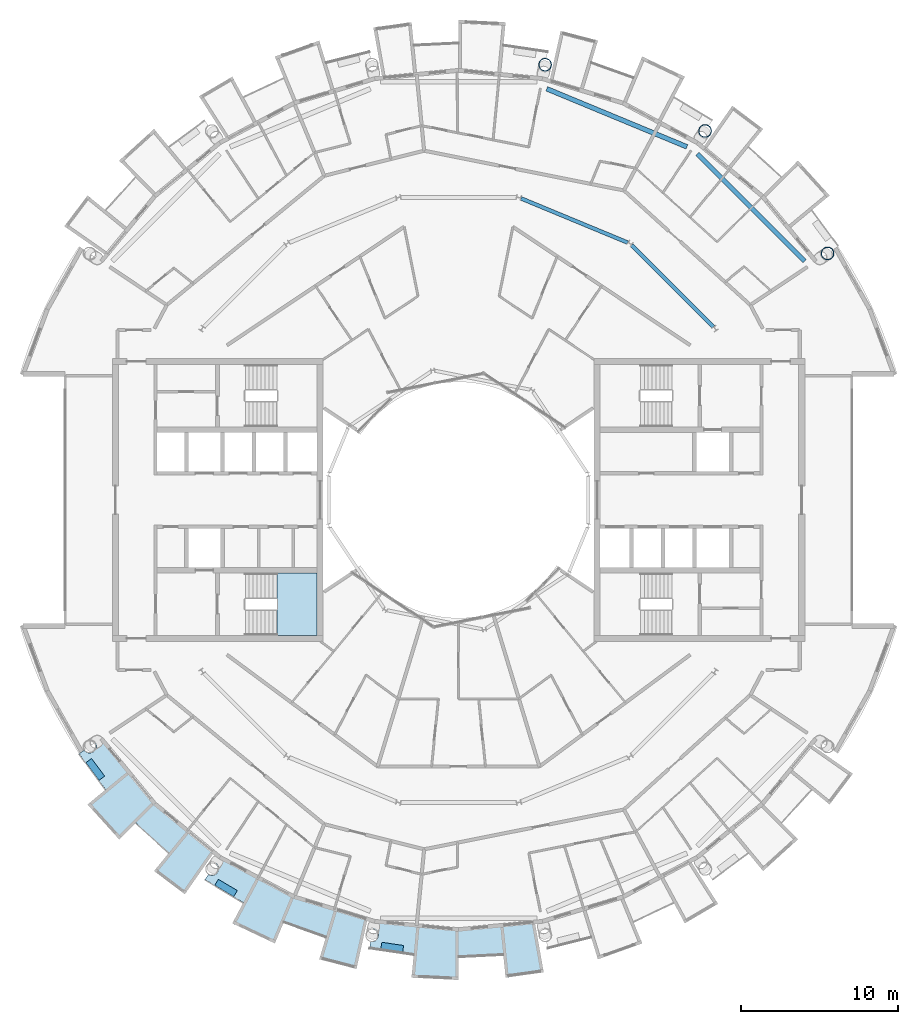
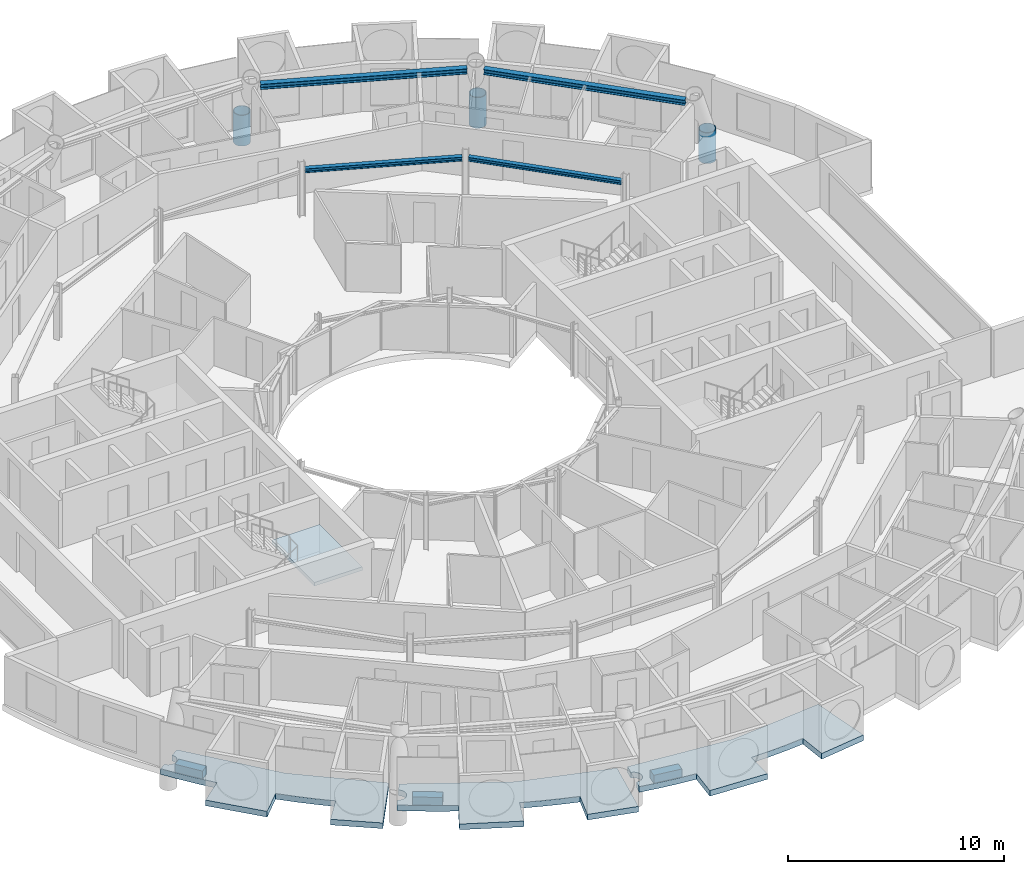
# One storey, part 11 of 28: 7 slabs, 4 beams, 3 members, 1 element without a shape of its own.
"""IFC4 building model written with IfcOpenShell, lengths in metres."""

from ifc_helpers import new_model, si_unit, direction, frame, origin, origin_2d, place, context, subcontext, project, spatial, polyline, hollow_circle, i_section, outline, extrude, material, layer, layer_set, material_profile, profile_set, type_object, element, aggregate, save


model = new_model("IFC4")

# Units and contexts
model_context = context("Model", 3, precision=1e-05, world=origin(), true_north=direction((0.0, 1.0)))
body_context = subcontext(model_context, "Body", "Model", "MODEL_VIEW")
ifc_project = project(units=[si_unit("LENGTHUNIT", "METRE"), si_unit("AREAUNIT", "SQUARE_METRE"), si_unit("VOLUMEUNIT", "CUBIC_METRE"), si_unit("PLANEANGLEUNIT", "RADIAN"), si_unit("MASSUNIT", "GRAM", prefix="KILO")], contexts=[model_context])

# Site, building, storey
site_placement = place(None, origin())
site = spatial("IfcSite", under=ifc_project, at=site_placement, CompositionType="ELEMENT")
building_placement = place(site_placement, origin())
building = spatial("IfcBuilding", under=site, at=building_placement, Name="Maasbend Ring Residences", CompositionType="ELEMENT")
storey_placement = place(building_placement, frame((0.0, 0.0, 231.0)))
storey = spatial("IfcBuildingStorey", under=building, at=storey_placement, Name="L66", CompositionType="ELEMENT", Elevation=231.0)

# Members
ifc_material_1 = material(Name="Steel S460NH", Category="steel")
ifc_material_profile_1 = material_profile(ifc_material_1, hollow_circle(Radius=0.406494140625, WallThickness=0.030029296875, at=origin_2d()), Name="Column node insert CHS 813x30")
ifc_profile_set_1 = profile_set([ifc_material_profile_1], Name="Steel S460NH")
member_type = type_object("IfcMemberType", Name="Column node insert CHS 813x30", PredefinedType="POST", material=ifc_profile_set_1)
for number, where, z_axis, x_axis, name in (
    (1, (23.447509765625, 15.6669921875, -1.5), (0.0, 0.0, 1.0), (1.0, 0.0, 0.0), "Column node insert R2"),
    (2, (15.6669921875, 23.447509765625, -1.5), (0.0, 0.0, 1.0), (1.0, 0.0, 0.0), "Column node insert R3"),
    (3, (5.50146484375, 27.658203125, -1.5), (0.0, 0.0, 1.0), (1.0, 0.0, 0.0), "Column node insert R4"),
):
    element("IfcMember", number, at=place(storey_placement, frame(where, z_axis=z_axis, x_axis=x_axis)), inside=storey, type_object=member_type, Name=name, PredefinedType="POST", context=body_context, shape_type="SweptSolid", body=[
        extrude(hollow_circle(Radius=0.406494140625, WallThickness=0.030029296875, at=origin_2d()), origin(), (0.0, 0.0, 1.0), 1.74169921875),
    ])

# Beams
ifc_material_2 = material(Name="Steel S355J2", Category="steel")
ifc_material_profile_2 = material_profile(ifc_material_2, i_section(OverallWidth=0.239990234375, OverallDepth=0.22998046875, WebThickness=0.007568359375, FlangeThickness=0.011962890625, FilletRadius=0.02099609375, at=origin_2d()), Name="HEA 240")
ifc_profile_set_2 = profile_set([ifc_material_profile_2], Name="Steel S355J2")
beam_type_1 = type_object("IfcBeamType", Name="Corridor ring beam HEA 240", PredefinedType="BEAM", material=ifc_profile_set_2)
beam_1_placement = place(storey_placement, frame((16.188720703125, 10.997314453125, 2.5849609375), z_axis=(-0.707106781187, 0.707106781187, 0.0), x_axis=(-0.707106781187, -0.707106781187, 0.0)))
element("IfcBeam", 4, at=beam_1_placement, inside=storey, type_object=beam_type_1, Name="Corridor ring beam", PredefinedType="BEAM", context=body_context, shape_type="SweptSolid", body=[
    extrude(i_section(OverallWidth=0.239990234375, OverallDepth=0.22998046875, WebThickness=0.007568359375, FlangeThickness=0.011962890625, FilletRadius=0.02099609375, at=origin_2d()), origin(), (0.0, 0.0, 1.0), 7.341796875),
])
beam_2_placement = place(storey_placement, frame((10.747802734375, 16.355224609375, 2.5849609375), z_axis=(-0.923875784142, 0.382692481603, 0.0), x_axis=(-0.382692481603, -0.923875784142, 0.0)))
element("IfcBeam", 5, at=beam_2_placement, inside=storey, type_object=beam_type_1, Name="Corridor ring beam", PredefinedType="BEAM", context=body_context, shape_type="SweptSolid", body=[
    extrude(i_section(OverallWidth=0.239990234375, OverallDepth=0.22998046875, WebThickness=0.007568359375, FlangeThickness=0.011962890625, FilletRadius=0.02099609375, at=origin_2d()), origin(), (0.0, 0.0, 1.0), 7.341552734375),
])
ifc_material_3 = material(Name="Steel S355J2", Category="steel")
ifc_material_profile_3 = material_profile(ifc_material_3, i_section(OverallWidth=0.300048828125, OverallDepth=0.300048828125, WebThickness=0.010986328125, FlangeThickness=0.01904296875, FilletRadius=0.027099609375, at=origin_2d()), Name="HEB 300")
ifc_profile_set_3 = profile_set([ifc_material_profile_3], Name="Steel S355J2")
beam_type_2 = type_object("IfcBeamType", Name="Spandrel ring beam HEB 300", PredefinedType="SPANDREL", material=ifc_profile_set_3)
beam_3_placement = place(storey_placement, frame((21.99609375, 15.1767578125, 2.550048828125), z_axis=(-0.707106781187, 0.707106781187, 0.0), x_axis=(-0.707106781187, -0.707106781187, 0.0)))
element("IfcBeam", 6, at=beam_3_placement, inside=storey, type_object=beam_type_2, Name="Spandrel ring beam", PredefinedType="SPANDREL", context=body_context, shape_type="SweptSolid", body=[
    extrude(i_section(OverallWidth=0.300048828125, OverallDepth=0.300048828125, WebThickness=0.010986328125, FlangeThickness=0.01904296875, FilletRadius=0.027099609375, at=origin_2d()), origin(), (0.0, 0.0, 1.0), 9.64404296875),
])
beam_4_placement = place(storey_placement, frame((14.513671875, 22.43896484375, 2.550048828125), z_axis=(-0.92388230488, 0.382676739206, 0.0), x_axis=(-0.382676739206, -0.92388230488, 0.0)))
element("IfcBeam", 7, at=beam_4_placement, inside=storey, type_object=beam_type_2, Name="Spandrel ring beam", PredefinedType="SPANDREL", context=body_context, shape_type="SweptSolid", body=[
    extrude(i_section(OverallWidth=0.300048828125, OverallDepth=0.300048828125, WebThickness=0.010986328125, FlangeThickness=0.01904296875, FilletRadius=0.027099609375, at=origin_2d()), origin(), (0.0, 0.0, 1.0), 9.643798828125),
])

# Stair, slab
ifc_material_4 = material(Name="Concrete C40/50", Category="concrete")
stair_type = type_object("IfcStairType", Name="CORE STAIR 18 RISERS", PredefinedType="HALF_TURN_STAIR", material=ifc_material_4)
stair_placement = place(storey_placement, origin())
stair = element("IfcStair", 8, at=stair_placement, inside=storey, type_object=stair_type, Name="L66 Exit stair ST-W1", PredefinedType="HALF_TURN_STAIR")
ifc_material_5 = material(Name="Concrete C40/50", Category="concrete")
ifc_layer_1 = layer(ifc_material_5, 0.199951171875)
ifc_layer_set_1 = layer_set([ifc_layer_1], Name="Concrete C40/50")
slab_type_1 = type_object("IfcSlabType", Name="CORE STAIR LANDING 200", PredefinedType="LANDING", material=ifc_layer_set_1)
slab_1_placement = place(storey_placement, frame((0.0, 0.0, 1.324951171875)))
slab_1 = element("IfcSlab", 9, at=slab_1_placement, type_object=slab_type_1, Name="ST-W1 landing 1", PredefinedType="LANDING", context=body_context, shape_type="SweptSolid", body=[
    extrude(outline(polyline([(-11.550048828125, -8.60009765625), (-9.0, -8.60009765625), (-9.0, -4.64990234375), (-11.550048828125, -4.64990234375), (-11.550048828125, -8.60009765625)])), origin(), (0.0, 0.0, 1.0), 0.199951171875),
])
aggregate(stair, [slab_1])

# Slabs
ifc_material_6 = material(Name="Planting with climbing greenery")
ifc_layer_2 = layer(ifc_material_6, 0.449951171875)
ifc_layer_set_2 = layer_set([ifc_layer_2], Name="PLANTER-LG")
slab_type_2 = type_object("IfcSlabType", Name="PLANTER-LG", PredefinedType="USERDEFINED", material=ifc_layer_set_2)
slab_2_placement = place(storey_placement, frame((0.0, 0.0, -0.030029296875)))
element("IfcSlab", 10, at=slab_2_placement, inside=storey, type_object=slab_type_2, Name="Planter with climbing greenery 1", ObjectType="PLANTER", PredefinedType="USERDEFINED", context=body_context, shape_type="SweptSolid", body=[
    extrude(outline(polyline([(-23.681884765625, -16.69189453125), (-22.847900390625, -17.81689453125), (-22.487060546875, -17.549072265625), (-23.321044921875, -16.424072265625), (-23.681884765625, -16.69189453125)])), origin(), (0.0, 0.0, 1.0), 0.449951171875),
])
slab_3_placement = place(storey_placement, frame((0.0, 0.0, -0.030029296875)))
element("IfcSlab", 11, at=slab_3_placement, inside=storey, type_object=slab_type_2, Name="Planter with climbing greenery 2", ObjectType="PLANTER", PredefinedType="USERDEFINED", context=body_context, shape_type="SweptSolid", body=[
    extrude(outline(polyline([(-15.490966796875, -24.48388671875), (-14.291015625, -25.2041015625), (-14.05908203125, -24.818115234375), (-15.260009765625, -24.097900390625), (-15.490966796875, -24.48388671875)])), origin(), (0.0, 0.0, 1.0), 0.449951171875),
])
slab_4_placement = place(storey_placement, frame((0.0, 0.0, -0.030029296875)))
element("IfcSlab", 12, at=slab_4_placement, inside=storey, type_object=slab_type_2, Name="Planter with climbing greenery 3", ObjectType="PLANTER", PredefinedType="USERDEFINED", context=body_context, shape_type="SweptSolid", body=[
    extrude(outline(polyline([(-4.94189453125, -28.549072265625), (-3.55810546875, -28.75390625), (-3.491943359375, -28.30908203125), (-4.8759765625, -28.10400390625), (-4.94189453125, -28.549072265625)])), origin(), (0.0, 0.0, 1.0), 0.449951171875),
])
ifc_material_7 = material(Name="Concrete C40/50", Category="concrete")
ifc_layer_3 = layer(ifc_material_7, 0.199951171875)
ifc_layer_set_3 = layer_set([ifc_layer_3], Name="Concrete C40/50")
slab_type_3 = type_object("IfcSlabType", Name="SL-LOGGIA", PredefinedType="FLOOR", material=ifc_layer_set_3)
slab_5_placement = place(storey_placement, frame((0.0, 0.0, -0.35009765625)))
element("IfcSlab", 13, at=slab_5_placement, inside=storey, type_object=slab_type_3, Name="Loggia floor 1", PredefinedType="FLOOR", context=body_context, shape_type="SweptSolid", body=[
    extrude(outline(polyline([(-15.866943359375, -23.801025390625), (-15.85888671875, -23.805908203125), (-15.85009765625, -23.81005859375), (-15.841064453125, -23.81494140625), (-15.83203125, -23.819091796875), (-15.822998046875, -23.822998046875), (-15.81298828125, -23.826904296875), (-15.803955078125, -23.830078125), (-15.794921875, -23.8330078125), (-15.784912109375, -23.8359375), (-15.77587890625, -23.839111328125), (-15.76611328125, -23.842041015625), (-15.756103515625, -23.843994140625), (-15.74609375, -23.845947265625), (-15.737060546875, -23.847900390625), (-15.72705078125, -23.85009765625), (-15.717041015625, -23.85107421875), (-15.70703125, -23.85205078125), (-15.697021484375, -23.85302734375), (-15.68701171875, -23.85302734375), (-15.677001953125, -23.85400390625), (-15.6669921875, -23.85400390625), (-15.656982421875, -23.85400390625), (-15.64697265625, -23.85302734375), (-15.636962890625, -23.85302734375), (-15.626953125, -23.85205078125), (-15.616943359375, -23.85107421875), (-15.60693359375, -23.85009765625), (-15.597900390625, -23.847900390625), (-15.587890625, -23.845947265625), (-15.577880859375, -23.843994140625), (-15.568115234375, -23.842041015625), (-15.55908203125, -23.839111328125), (-15.549072265625, -23.8359375), (-15.5400390625, -23.8330078125), (-15.530029296875, -23.830078125), (-15.52099609375, -23.826904296875), (-15.511962890625, -23.822998046875), (-15.501953125, -23.819091796875), (-15.492919921875, -23.81494140625), (-15.48388671875, -23.81005859375), (-15.47509765625, -23.805908203125), (-15.467041015625, -23.801025390625), (-15.4580078125, -23.7958984375), (-15.449951171875, -23.791015625), (-15.44091796875, -23.784912109375), (-15.43310546875, -23.780029296875), (-15.425048828125, -23.77392578125), (-15.4169921875, -23.76806640625), (-15.408935546875, -23.761962890625), (-15.402099609375, -23.7548828125), (-15.39404296875, -23.7490234375), (-15.386962890625, -23.741943359375), (-15.3798828125, -23.735107421875), (-15.373046875, -23.72802734375), (-15.365966796875, -23.719970703125), (-15.35888671875, -23.712890625), (-15.35302734375, -23.705078125), (-15.346923828125, -23.697021484375), (-15.341064453125, -23.68994140625), (-15.3349609375, -23.680908203125), (-15.3291015625, -23.673095703125), (-15.323974609375, -23.6650390625), (-15.318115234375, -23.656005859375), (-15.31298828125, -23.64794921875), (-15.30908203125, -23.638916015625), (-15.303955078125, -23.6298828125), (-15.300048828125, -23.62109375), (-15.294921875, -23.612060546875), (-15.2919921875, -23.60302734375), (-15.2880859375, -23.593994140625), (-15.283935546875, -23.583984375), (-15.281005859375, -23.574951171875), (-15.278076171875, -23.56494140625), (-15.27490234375, -23.555908203125), (-15.27294921875, -23.5458984375), (-15.27001953125, -23.535888671875), (-15.26806640625, -23.527099609375), (-15.26708984375, -23.51708984375), (-15.264892578125, -23.507080078125), (-15.263916015625, -23.4970703125), (-15.262939453125, -23.487060546875), (-15.261962890625, -23.47705078125), (-15.260986328125, -23.467041015625), (-15.260986328125, -23.45703125), (-15.260986328125, -23.447021484375), (-15.260986328125, -23.43701171875), (-15.260986328125, -23.427001953125), (-15.261962890625, -23.4169921875), (-15.262939453125, -23.407958984375), (-15.263916015625, -23.39794921875), (-15.264892578125, -23.387939453125), (-15.26708984375, -23.3779296875), (-15.26806640625, -23.367919921875), (-15.27001953125, -23.35791015625), (-15.27294921875, -23.34912109375), (-15.27490234375, -23.339111328125), (-15.278076171875, -23.3291015625), (-15.281005859375, -23.320068359375), (-15.283935546875, -23.31005859375), (-15.2880859375, -23.301025390625), (-15.2919921875, -23.2919921875), (-15.294921875, -23.282958984375), (-15.300048828125, -23.27392578125), (-15.303955078125, -23.264892578125), (-15.30908203125, -23.256103515625), (-15.31298828125, -23.2470703125), (-15.318115234375, -23.238037109375), (-15.323974609375, -23.22998046875), (-15.3291015625, -23.221923828125), (-15.3349609375, -23.212890625), (-15.341064453125, -23.205078125), (-15.346923828125, -23.197021484375), (-15.35302734375, -23.18994140625), (-15.35888671875, -23.181884765625), (-15.365966796875, -23.174072265625), (-15.373046875, -23.1669921875), (-15.3798828125, -23.159912109375), (-15.386962890625, -23.153076171875), (-15.39404296875, -23.14599609375), (-15.402099609375, -23.139892578125), (-15.408935546875, -23.133056640625), (-15.4169921875, -23.126953125), (-15.425048828125, -23.12109375), (-15.43310546875, -23.114990234375), (-15.44091796875, -23.10888671875), (-15.1669921875, -22.698974609375), (-15.1669921875, -22.698974609375), (-15.1669921875, -22.698974609375), (-12.806884765625, -23.9609375), (-10.447021484375, -25.221923828125), (-10.447021484375, -25.221923828125), (-10.447021484375, -25.221923828125), (-7.886962890625, -25.9990234375), (-5.797119140625, -26.633056640625), (-5.797119140625, -26.633056640625), (-5.797119140625, -26.633056640625), (-6.487060546875, -29.802001953125), (-6.487060546875, -29.802001953125), (-6.487060546875, -29.802001953125), (-8.85400390625, -29.18701171875), (-8.85400390625, -29.18701171875), (-8.85400390625, -29.18701171875), (-8.41796875, -27.751953125), (-8.41796875, -27.751953125), (-8.41796875, -27.751953125), (-8.41796875, -27.751953125), (-8.41796875, -27.751953125), (-8.41796875, -27.751953125), (-8.41796875, -27.7509765625), (-8.41796875, -27.7509765625), (-8.41796875, -27.7509765625), (-8.41796875, -27.7509765625), (-8.41796875, -27.7509765625), (-8.4189453125, -27.7509765625), (-8.4189453125, -27.7509765625), (-8.4189453125, -27.7509765625), (-8.4189453125, -27.7509765625), (-8.4189453125, -27.7509765625), (-8.4189453125, -27.7509765625), (-9.322021484375, -27.4609375), (-9.322021484375, -27.4609375), (-10.215087890625, -27.14111328125), (-10.215087890625, -27.14111328125), (-11.096923828125, -26.79296875), (-11.096923828125, -26.79296875), (-11.096923828125, -26.79296875), (-11.097900390625, -26.79296875), (-11.097900390625, -26.79296875), (-11.097900390625, -26.79296875), (-11.097900390625, -26.79296875), (-11.097900390625, -26.79296875), (-11.097900390625, -26.79296875), (-11.097900390625, -26.79296875), (-11.097900390625, -26.79296875), (-11.097900390625, -26.79296875), (-11.097900390625, -26.79296875), (-11.097900390625, -26.79296875), (-11.097900390625, -26.79296875), (-11.097900390625, -26.79296875), (-11.097900390625, -26.79296875), (-11.672119140625, -28.177978515625), (-11.672119140625, -28.177978515625), (-11.672119140625, -28.177978515625), (-14.3779296875, -26.89892578125), (-14.3779296875, -26.89892578125), (-14.3779296875, -26.89892578125), (-13.6708984375, -25.575927734375), (-13.6708984375, -25.575927734375), (-13.6708984375, -25.575927734375), (-13.6708984375, -25.575927734375), (-13.6708984375, -25.575927734375), (-13.6708984375, -25.575927734375), (-13.6708984375, -25.575927734375), (-13.6708984375, -25.575927734375), (-13.6708984375, -25.575927734375), (-13.6708984375, -25.575927734375), (-13.6708984375, -25.575927734375), (-13.6708984375, -25.575927734375), (-13.6708984375, -25.575927734375), (-13.6708984375, -25.575927734375), (-13.6708984375, -25.575927734375), (-13.6708984375, -25.575927734375), (-13.6708984375, -25.574951171875), (-14.5, -25.114990234375), (-14.5, -25.114990234375), (-15.31396484375, -24.626953125), (-15.31396484375, -24.626953125), (-16.112060546875, -24.113037109375), (-16.112060546875, -24.113037109375), (-16.112060546875, -24.113037109375), (-15.89306640625, -23.784912109375), (-15.885009765625, -23.791015625), (-15.8759765625, -23.7958984375), (-15.866943359375, -23.801025390625)])), origin(), (0.0, 0.0, 1.0), 0.320068359375),
])
slab_6_placement = place(storey_placement, frame((0.0, 0.0, -0.35009765625)))
element("IfcSlab", 14, at=slab_6_placement, inside=storey, type_object=slab_type_3, Name="Loggia floor 3", PredefinedType="FLOOR", context=body_context, shape_type="SweptSolid", body=[
    extrude(outline(polyline([(-2.6630859375, -27.0380859375), (0.0, -27.300048828125), (0.0, -27.300048828125), (0.0, -27.300048828125), (2.6630859375, -27.0380859375), (4.8359375, -26.823974609375), (4.8359375, -26.823974609375), (4.8359375, -26.823974609375), (5.412109375, -30.01611328125), (5.412109375, -30.01611328125), (5.412109375, -30.01611328125), (2.989990234375, -30.35302734375), (2.989990234375, -30.35302734375), (2.989990234375, -30.35302734375), (2.843017578125, -28.861083984375), (2.843017578125, -28.861083984375), (2.843017578125, -28.861083984375), (2.843017578125, -28.861083984375), (2.842041015625, -28.861083984375), (2.842041015625, -28.861083984375), (2.842041015625, -28.861083984375), (2.842041015625, -28.861083984375), (2.842041015625, -28.861083984375), (2.842041015625, -28.860107421875), (2.842041015625, -28.860107421875), (2.842041015625, -28.860107421875), (2.842041015625, -28.860107421875), (2.842041015625, -28.860107421875), (2.842041015625, -28.860107421875), (2.842041015625, -28.860107421875), (2.842041015625, -28.860107421875), (1.89697265625, -28.93798828125), (1.89697265625, -28.93798828125), (0.948974609375, -28.98388671875), (0.948974609375, -28.98388671875), (0.0, -29.0), (0.0, -29.0), (0.0, -29.0), (0.0, -29.0), (0.0, -29.0), (0.0, -29.0), (0.0, -29.0), (0.0, -29.0), (0.0, -29.0), (0.0, -29.0), (0.0, -29.0), (0.0, -29.0), (0.0, -29.0), (0.0, -29.0), (0.0, -29.0), (0.0, -29.0), (0.0, -29.0), (0.0, -30.5), (0.0, -30.5), (0.0, -30.5), (-2.989990234375, -30.35302734375), (-2.989990234375, -30.35302734375), (-2.989990234375, -30.35302734375), (-2.843017578125, -28.861083984375), (-2.843017578125, -28.861083984375), (-2.843017578125, -28.861083984375), (-2.843017578125, -28.861083984375), (-2.843017578125, -28.861083984375), (-2.843017578125, -28.861083984375), (-2.843017578125, -28.861083984375), (-2.843017578125, -28.861083984375), (-2.843017578125, -28.860107421875), (-2.843017578125, -28.860107421875), (-2.843017578125, -28.860107421875), (-2.843017578125, -28.860107421875), (-2.843017578125, -28.860107421875), (-2.843017578125, -28.860107421875), (-2.843017578125, -28.860107421875), (-2.843017578125, -28.860107421875), (-2.843017578125, -28.860107421875), (-3.784912109375, -28.751953125), (-3.784912109375, -28.751953125), (-4.72412109375, -28.613037109375), (-4.72412109375, -28.613037109375), (-5.657958984375, -28.443115234375), (-5.657958984375, -28.443115234375), (-5.657958984375, -28.443115234375), (-5.5810546875, -28.056884765625), (-5.5810546875, -28.056884765625), (-5.571044921875, -28.05908203125), (-5.56103515625, -28.06005859375), (-5.551025390625, -28.06201171875), (-5.541015625, -28.06298828125), (-5.531005859375, -28.06298828125), (-5.52099609375, -28.06396484375), (-5.510986328125, -28.06396484375), (-5.501953125, -28.06494140625), (-5.491943359375, -28.06396484375), (-5.48193359375, -28.06396484375), (-5.471923828125, -28.06298828125), (-5.4619140625, -28.06298828125), (-5.451904296875, -28.06201171875), (-5.44189453125, -28.06005859375), (-5.431884765625, -28.05908203125), (-5.422119140625, -28.056884765625), (-5.412109375, -28.054931640625), (-5.403076171875, -28.052001953125), (-5.39306640625, -28.050048828125), (-5.383056640625, -28.047119140625), (-5.3740234375, -28.0439453125), (-5.364990234375, -28.041015625), (-5.35498046875, -28.037109375), (-5.345947265625, -28.033935546875), (-5.3369140625, -28.030029296875), (-5.327880859375, -28.02587890625), (-5.319091796875, -28.02099609375), (-5.31005859375, -28.01708984375), (-5.301025390625, -28.011962890625), (-5.29296875, -28.007080078125), (-5.283935546875, -28.001953125), (-5.27587890625, -27.99609375), (-5.26708984375, -27.989990234375), (-5.259033203125, -27.985107421875), (-5.2509765625, -27.97900390625), (-5.243896484375, -27.971923828125), (-5.236083984375, -27.966064453125), (-5.22900390625, -27.958984375), (-5.220947265625, -27.952880859375), (-5.214111328125, -27.946044921875), (-5.20703125, -27.93798828125), (-5.199951171875, -27.930908203125), (-5.194091796875, -27.924072265625), (-5.18701171875, -27.916015625), (-5.180908203125, -27.907958984375), (-5.175048828125, -27.89990234375), (-5.1689453125, -27.89208984375), (-5.1640625, -27.884033203125), (-5.157958984375, -27.8759765625), (-5.153076171875, -27.866943359375), (-5.14794921875, -27.85791015625), (-5.14306640625, -27.85009765625), (-5.137939453125, -27.841064453125), (-5.134033203125, -27.83203125), (-5.1298828125, -27.822998046875), (-5.1259765625, -27.81396484375), (-5.1220703125, -27.803955078125), (-5.118896484375, -27.794921875), (-5.115966796875, -27.785888671875), (-5.113037109375, -27.77587890625), (-5.110107421875, -27.76708984375), (-5.10693359375, -27.757080078125), (-5.10498046875, -27.7470703125), (-5.10302734375, -27.737060546875), (-5.10107421875, -27.72802734375), (-5.09912109375, -27.718017578125), (-5.097900390625, -27.7080078125), (-5.096923828125, -27.697998046875), (-5.095947265625, -27.68798828125), (-5.094970703125, -27.677978515625), (-5.094970703125, -27.66796875), (-5.094970703125, -27.657958984375), (-5.094970703125, -27.64794921875), (-5.094970703125, -27.637939453125), (-5.095947265625, -27.6279296875), (-5.096923828125, -27.617919921875), (-5.097900390625, -27.60791015625), (-5.09912109375, -27.597900390625), (-5.10107421875, -27.589111328125), (-5.10302734375, -27.5791015625), (-5.10498046875, -27.569091796875), (-5.10693359375, -27.55908203125), (-5.110107421875, -27.550048828125), (-5.113037109375, -27.5400390625), (-5.115966796875, -27.531005859375), (-5.118896484375, -27.52099609375), (-5.1220703125, -27.511962890625), (-5.1259765625, -27.5029296875), (-5.1298828125, -27.492919921875), (-5.134033203125, -27.48388671875), (-5.137939453125, -27.47509765625), (-5.14306640625, -27.466064453125), (-5.14794921875, -27.4580078125), (-5.153076171875, -27.448974609375), (-5.157958984375, -27.44091796875), (-5.1640625, -27.431884765625), (-5.1689453125, -27.424072265625), (-5.175048828125, -27.416015625), (-5.180908203125, -27.407958984375), (-5.18701171875, -27.39990234375), (-5.194091796875, -27.39306640625), (-5.199951171875, -27.385009765625), (-5.20703125, -27.3779296875), (-5.214111328125, -27.37109375), (-5.220947265625, -27.364013671875), (-5.22900390625, -27.35693359375), (-5.236083984375, -27.35009765625), (-5.243896484375, -27.343994140625), (-5.2509765625, -27.337890625), (-5.259033203125, -27.33203125), (-5.26708984375, -27.325927734375), (-5.27587890625, -27.320068359375), (-5.283935546875, -27.31494140625), (-5.29296875, -27.30908203125), (-5.301025390625, -27.303955078125), (-5.31005859375, -27.300048828125), (-5.319091796875, -27.294921875), (-5.327880859375, -27.291015625), (-5.3369140625, -27.285888671875), (-5.345947265625, -27.282958984375), (-5.35498046875, -27.279052734375), (-5.364990234375, -27.27490234375), (-5.3740234375, -27.27197265625), (-5.383056640625, -27.26904296875), (-5.39306640625, -27.26611328125), (-5.403076171875, -27.263916015625), (-5.412109375, -27.260986328125), (-5.422119140625, -27.259033203125), (-5.422119140625, -27.259033203125), (-5.325927734375, -26.77490234375), (-5.325927734375, -26.77490234375), (-5.325927734375, -26.77490234375), (-2.6630859375, -27.0380859375)])), origin(), (0.0, 0.0, 1.0), 0.320068359375),
])
slab_7_placement = place(storey_placement, frame((0.0, 0.0, -0.35009765625)))
element("IfcSlab", 15, at=slab_7_placement, inside=storey, type_object=slab_type_3, Name="Loggia floor 4", PredefinedType="FLOOR", context=body_context, shape_type="SweptSolid", body=[
    extrude(outline(polyline([(-23.77392578125, -15.908935546875), (-23.76806640625, -15.9169921875), (-23.761962890625, -15.925048828125), (-23.7548828125, -15.93310546875), (-23.7490234375, -15.93994140625), (-23.741943359375, -15.947021484375), (-23.735107421875, -15.955078125), (-23.72802734375, -15.9619140625), (-23.719970703125, -15.968017578125), (-23.712890625, -15.97509765625), (-23.705078125, -15.98095703125), (-23.697021484375, -15.988037109375), (-23.68994140625, -15.993896484375), (-23.680908203125, -15.9990234375), (-23.673095703125, -16.0048828125), (-23.6650390625, -16.010986328125), (-23.656005859375, -16.01611328125), (-23.64794921875, -16.02099609375), (-23.638916015625, -16.02587890625), (-23.6298828125, -16.030029296875), (-23.62109375, -16.034912109375), (-23.612060546875, -16.0390625), (-23.60302734375, -16.04296875), (-23.593994140625, -16.0458984375), (-23.583984375, -16.050048828125), (-23.574951171875, -16.052978515625), (-23.56494140625, -16.055908203125), (-23.555908203125, -16.05908203125), (-23.5458984375, -16.06103515625), (-23.535888671875, -16.06396484375), (-23.527099609375, -16.06591796875), (-23.51708984375, -16.068115234375), (-23.507080078125, -16.069091796875), (-23.4970703125, -16.071044921875), (-23.487060546875, -16.072021484375), (-23.47705078125, -16.072021484375), (-23.467041015625, -16.072998046875), (-23.45703125, -16.072998046875), (-23.447021484375, -16.073974609375), (-23.43701171875, -16.072998046875), (-23.427001953125, -16.072998046875), (-23.4169921875, -16.072021484375), (-23.407958984375, -16.072021484375), (-23.39794921875, -16.071044921875), (-23.387939453125, -16.069091796875), (-23.3779296875, -16.068115234375), (-23.367919921875, -16.06591796875), (-23.35791015625, -16.06396484375), (-23.34912109375, -16.06103515625), (-23.339111328125, -16.05908203125), (-23.3291015625, -16.055908203125), (-23.320068359375, -16.052978515625), (-23.31005859375, -16.050048828125), (-23.301025390625, -16.0458984375), (-23.2919921875, -16.04296875), (-23.282958984375, -16.0390625), (-23.27392578125, -16.034912109375), (-23.264892578125, -16.030029296875), (-23.256103515625, -16.02587890625), (-23.2470703125, -16.02099609375), (-23.238037109375, -16.01611328125), (-23.22998046875, -16.010986328125), (-23.221923828125, -16.0048828125), (-23.212890625, -15.9990234375), (-23.205078125, -15.993896484375), (-23.197021484375, -15.988037109375), (-23.18994140625, -15.98095703125), (-23.181884765625, -15.97509765625), (-23.174072265625, -15.968017578125), (-23.1669921875, -15.9619140625), (-23.159912109375, -15.955078125), (-23.153076171875, -15.947021484375), (-23.14599609375, -15.93994140625), (-23.139892578125, -15.93310546875), (-23.133056640625, -15.925048828125), (-23.126953125, -15.9169921875), (-23.12109375, -15.908935546875), (-23.114990234375, -15.90087890625), (-23.10888671875, -15.89306640625), (-23.10400390625, -15.885009765625), (-23.09912109375, -15.8759765625), (-23.093994140625, -15.866943359375), (-23.089111328125, -15.85888671875), (-23.083984375, -15.85009765625), (-23.080078125, -15.841064453125), (-23.075927734375, -15.83203125), (-23.072021484375, -15.822998046875), (-23.068115234375, -15.81298828125), (-23.06494140625, -15.803955078125), (-23.06103515625, -15.794921875), (-23.05810546875, -15.784912109375), (-23.055908203125, -15.77587890625), (-23.052978515625, -15.76611328125), (-23.051025390625, -15.756103515625), (-23.049072265625, -15.74609375), (-23.047119140625, -15.737060546875), (-23.044921875, -15.72705078125), (-23.0439453125, -15.717041015625), (-23.04296875, -15.70703125), (-23.0419921875, -15.697021484375), (-23.041015625, -15.68701171875), (-23.041015625, -15.677001953125), (-23.041015625, -15.6669921875), (-23.041015625, -15.656982421875), (-23.041015625, -15.64697265625), (-23.0419921875, -15.636962890625), (-23.04296875, -15.626953125), (-23.0439453125, -15.616943359375), (-23.044921875, -15.60693359375), (-23.047119140625, -15.597900390625), (-23.049072265625, -15.587890625), (-23.051025390625, -15.577880859375), (-23.052978515625, -15.568115234375), (-23.055908203125, -15.55908203125), (-23.05810546875, -15.549072265625), (-23.06103515625, -15.5400390625), (-23.06494140625, -15.530029296875), (-23.068115234375, -15.52099609375), (-23.072021484375, -15.511962890625), (-23.075927734375, -15.501953125), (-23.080078125, -15.492919921875), (-23.083984375, -15.48388671875), (-23.089111328125, -15.47509765625), (-23.093994140625, -15.467041015625), (-23.09912109375, -15.4580078125), (-23.10400390625, -15.449951171875), (-23.10888671875, -15.44091796875), (-23.10888671875, -15.44091796875), (-22.698974609375, -15.1669921875), (-22.698974609375, -15.1669921875), (-22.698974609375, -15.1669921875), (-21.001953125, -17.236083984375), (-19.303955078125, -19.303955078125), (-19.303955078125, -19.303955078125), (-19.303955078125, -19.303955078125), (-17.236083984375, -21.001953125), (-15.547119140625, -22.386962890625), (-15.547119140625, -22.386962890625), (-15.547119140625, -22.386962890625), (-17.39794921875, -25.051025390625), (-17.39794921875, -25.051025390625), (-17.39794921875, -25.051025390625), (-19.34912109375, -23.576904296875), (-19.34912109375, -23.576904296875), (-19.34912109375, -23.576904296875), (-18.39794921875, -22.41796875), (-18.39794921875, -22.41796875), (-18.39794921875, -22.41796875), (-18.39794921875, -22.41796875), (-18.39794921875, -22.41796875), (-18.39794921875, -22.4169921875), (-18.39794921875, -22.4169921875), (-18.39794921875, -22.4169921875), (-18.39794921875, -22.4169921875), (-18.39794921875, -22.4169921875), (-18.39794921875, -22.4169921875), (-18.39794921875, -22.4169921875), (-18.39794921875, -22.4169921875), (-18.39794921875, -22.4169921875), (-18.39794921875, -22.4169921875), (-18.39794921875, -22.4169921875), (-18.39794921875, -22.4169921875), (-19.12109375, -21.802978515625), (-19.12109375, -21.802978515625), (-19.823974609375, -21.166015625), (-19.823974609375, -21.166015625), (-20.506103515625, -20.506103515625), (-20.506103515625, -20.506103515625), (-20.506103515625, -20.506103515625), (-20.506103515625, -20.506103515625), (-20.506103515625, -20.506103515625), (-20.506103515625, -20.506103515625), (-20.506103515625, -20.506103515625), (-20.506103515625, -20.506103515625), (-20.506103515625, -20.506103515625), (-20.506103515625, -20.506103515625), (-20.506103515625, -20.506103515625), (-20.506103515625, -20.506103515625), (-20.506103515625, -20.506103515625), (-20.506103515625, -20.506103515625), (-20.506103515625, -20.506103515625), (-20.506103515625, -20.506103515625), (-20.506103515625, -20.506103515625), (-21.56689453125, -21.56689453125), (-21.56689453125, -21.56689453125), (-21.56689453125, -21.56689453125), (-23.576904296875, -19.34912109375), (-23.576904296875, -19.34912109375), (-23.576904296875, -19.34912109375), (-22.41796875, -18.39794921875), (-22.41796875, -18.39794921875), (-22.41796875, -18.39794921875), (-22.41796875, -18.39794921875), (-22.41796875, -18.39794921875), (-22.41796875, -18.39794921875), (-22.41796875, -18.39697265625), (-22.41796875, -18.39697265625), (-22.41796875, -18.39697265625), (-22.41796875, -18.39697265625), (-22.41796875, -18.39697265625), (-22.41796875, -18.39697265625), (-22.41796875, -18.39697265625), (-22.41796875, -18.39697265625), (-22.41796875, -18.39697265625), (-22.41796875, -18.39697265625), (-22.41796875, -18.39697265625), (-23.007080078125, -17.654052734375), (-23.007080078125, -17.654052734375), (-23.572998046875, -16.89208984375), (-23.572998046875, -16.89208984375), (-24.113037109375, -16.112060546875), (-24.113037109375, -16.112060546875), (-24.113037109375, -16.112060546875), (-23.784912109375, -15.89306640625), (-23.784912109375, -15.89306640625), (-23.780029296875, -15.90087890625), (-23.77392578125, -15.908935546875)])), origin(), (0.0, 0.0, 1.0), 0.320068359375),
])

save(model, "model.ifc")
